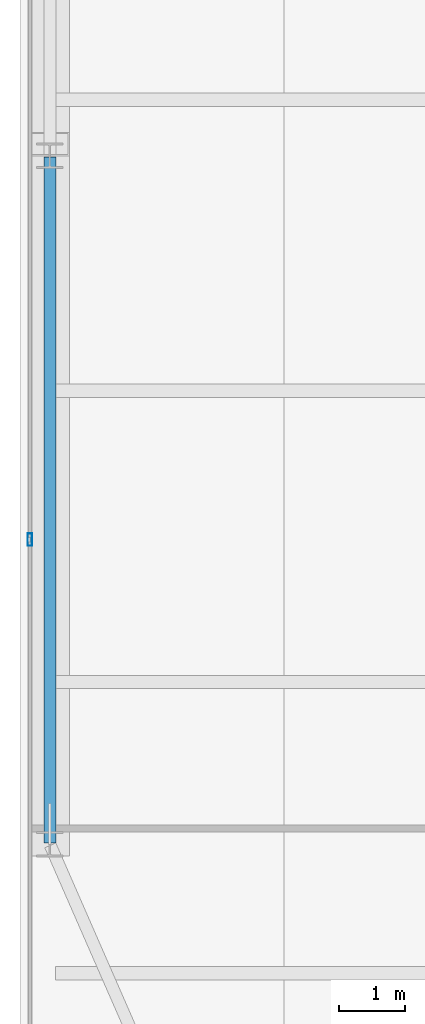
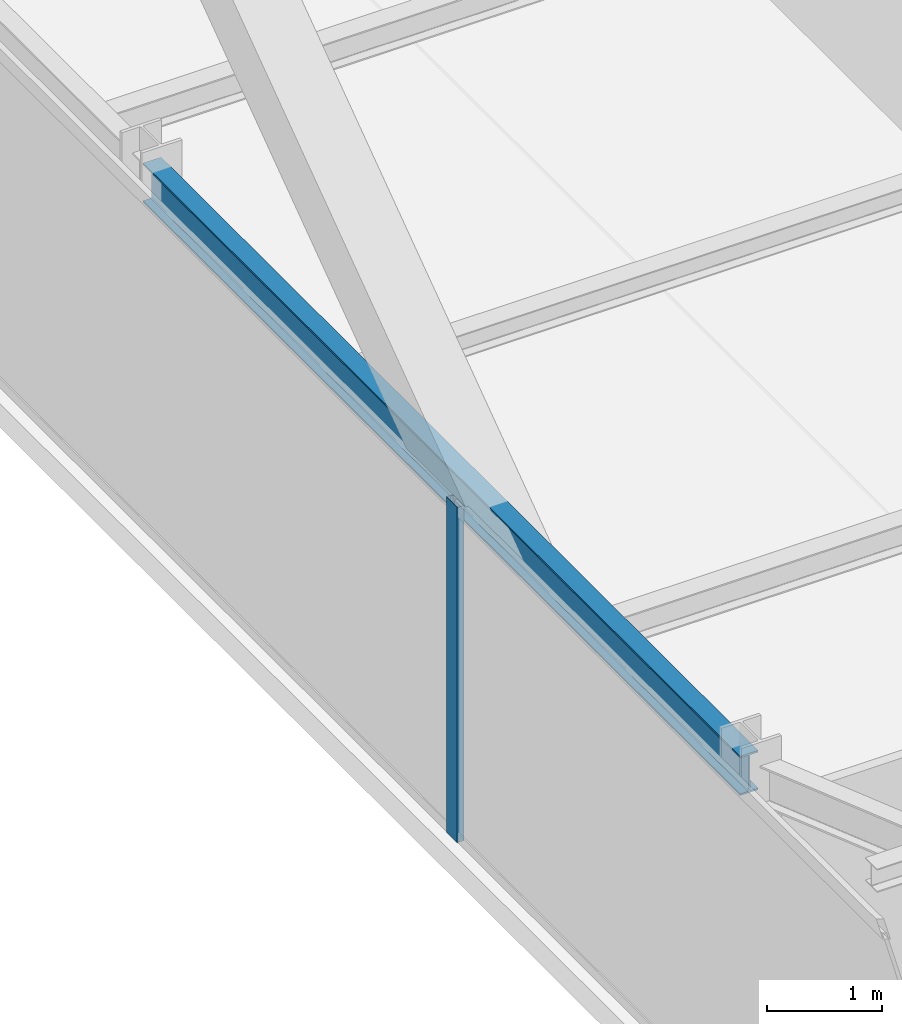
# One storey, part 9 of 37: 1 beam, 1 member, 1 element without a shape of its own.
"""IFC4 building model written with IfcOpenShell, lengths in metres."""

from ifc_helpers import new_model, si_unit, direction, frame, origin, origin_2d, place, context, subcontext, project, spatial, hollow_rectangle, i_section, extrude, source, transform, mapped, material, layer, layer_set, material_profile, profile_set, type_object, type_shapes, element, aggregate, save


model = new_model("IFC4")

# Units and contexts
model_context = context("Model", 3, precision=1e-05, world=origin(), true_north=direction((0.0, 1.0)))
body_context = subcontext(model_context, "Body", "Model", "MODEL_VIEW")
ifc_project = project(units=[si_unit("LENGTHUNIT", "METRE"), si_unit("AREAUNIT", "SQUARE_METRE"), si_unit("VOLUMEUNIT", "CUBIC_METRE"), si_unit("PLANEANGLEUNIT", "RADIAN"), si_unit("MASSUNIT", "GRAM", prefix="KILO")], contexts=[model_context])

# Site, building, storey
site_placement = place(None, origin())
site = spatial("IfcSite", under=ifc_project, at=site_placement, CompositionType="ELEMENT")
building_placement = place(site_placement, origin())
building = spatial("IfcBuilding", under=site, at=building_placement, Name="Varnel Quay Broadcast Tower", CompositionType="ELEMENT")
storey_placement = place(building_placement, frame((0.0, 0.0, 103.0)))
storey = spatial("IfcBuildingStorey", under=building, at=storey_placement, Name="L24", CompositionType="ELEMENT", Elevation=103.0)

# Beam
ifc_material_1 = material(Name="Structural Steel CSA G40.21 350W", Category="steel")
ifc_material_profile_1 = material_profile(ifc_material_1, i_section(OverallWidth=0.180908203125, OverallDepth=0.4169921875, WebThickness=0.010986328125, FlangeThickness=0.018310546875, FilletRadius=0.011962890625, at=origin_2d()), Name="W410X85")
ifc_profile_set_1 = profile_set([ifc_material_profile_1], Name="Structural Steel CSA G40.21 350W")
beam_type = type_object("IfcBeamType", Name="Beam_W410X85", PredefinedType="SPANDREL", material=ifc_profile_set_1)
shared_shape_1 = source(origin(), body_context, "Body", "SweptSolid", [
    extrude(i_section(OverallWidth=0.180908203125, OverallDepth=0.4169921875, WebThickness=0.010986328125, FlangeThickness=0.018310546875, FilletRadius=0.011962890625, at=origin_2d()), origin(), (0.0, 0.0, 1.0), 10.35986328125),
])
type_shapes(beam_type, [shared_shape_1])
beam_placement = place(storey_placement, frame((4.949951171875, 15.02001953125, 3.341552734375), z_axis=(0.0, 1.0, 0.0), x_axis=(-1.0, 0.0, 0.0)))
element("IfcBeam", 1, at=beam_placement, inside=storey, type_object=beam_type, Name="L24 West Spandrel TC-W1-TC-W2", PredefinedType="SPANDREL", context=body_context, shape_type="MappedRepresentation", body=[
    mapped(shared_shape_1, transform((0.0, 0.0, 0.0), x_axis=(1.0, 0.0, 0.0), y_axis=(0.0, 1.0, 0.0), z_axis=(0.0, 0.0, 1.0), scale=1.0)),
])

# Curtain wall, member
ifc_material_2 = material(Name="Anodised Bronze Aluminium 6063-T6", Category="aluminium")
ifc_layer = layer(ifc_material_2, 0.18994140625, Name="Anodised Bronze Aluminium 6063-T6")
ifc_layer_set = layer_set([ifc_layer], Name="Anodised Bronze Aluminium 6063-T6")
curtain_wall_type = type_object("IfcCurtainWallType", Name="CW_LowerTower", PredefinedType="NOTDEFINED", material=ifc_layer_set)
curtain_wall_placement = place(storey_placement, origin())
curtain_wall = element("IfcCurtainWall", 2, at=curtain_wall_placement, inside=storey, type_object=curtain_wall_type, Name="L24 West Unitised Curtain Wall", PredefinedType="NOTDEFINED")
ifc_material_profile_2 = material_profile(ifc_material_2, hollow_rectangle(XDim=0.070068359375, YDim=0.18994140625, WallThickness=0.00390625, at=origin_2d()), Name="ALU70X190X4")
ifc_profile_set_2 = profile_set([ifc_material_profile_2], Name="Anodised Bronze Aluminium 6063-T6")
member_type = type_object("IfcMemberType", Name="Mull_CWS-02", PredefinedType="MULLION", material=ifc_profile_set_2)
shared_shape_2 = source(origin(), body_context, "Body", "SweptSolid", [
    extrude(hollow_rectangle(XDim=0.070068359375, YDim=0.18994140625, WallThickness=0.00390625, at=origin_2d()), origin(), (0.0, 0.0, 1.0), 3.550048828125),
])
type_shapes(member_type, [shared_shape_2])
member_placement = place(storey_placement, frame((4.64990234375, 19.60009765625, 0.0), z_axis=(0.0, 0.0, 1.0), x_axis=(-1.0, 0.0, 0.0)))
member = element("IfcMember", 3, at=member_placement, type_object=member_type, Name="CWS-02 mullion 2", PredefinedType="MULLION", context=body_context, shape_type="MappedRepresentation", body=[
    mapped(shared_shape_2, transform((0.0, 0.0, 0.0), x_axis=(1.0, 0.0, 0.0), y_axis=(0.0, 1.0, 0.0), z_axis=(0.0, 0.0, 1.0), scale=1.0)),
])
aggregate(curtain_wall, [member])

save(model, "model.ifc")
